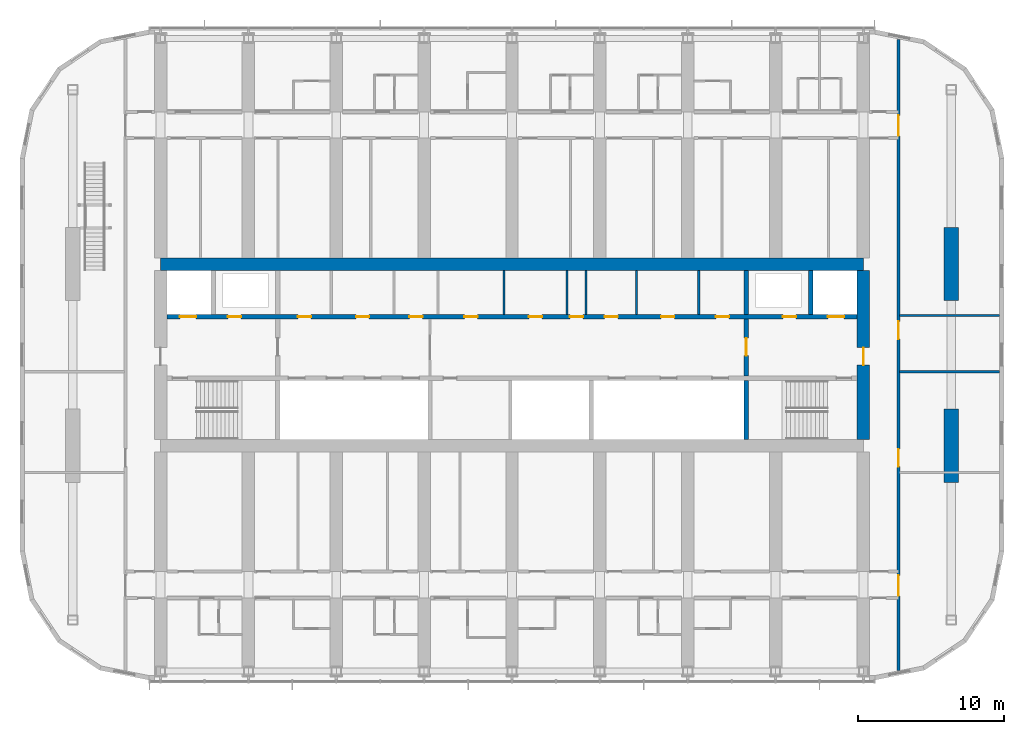
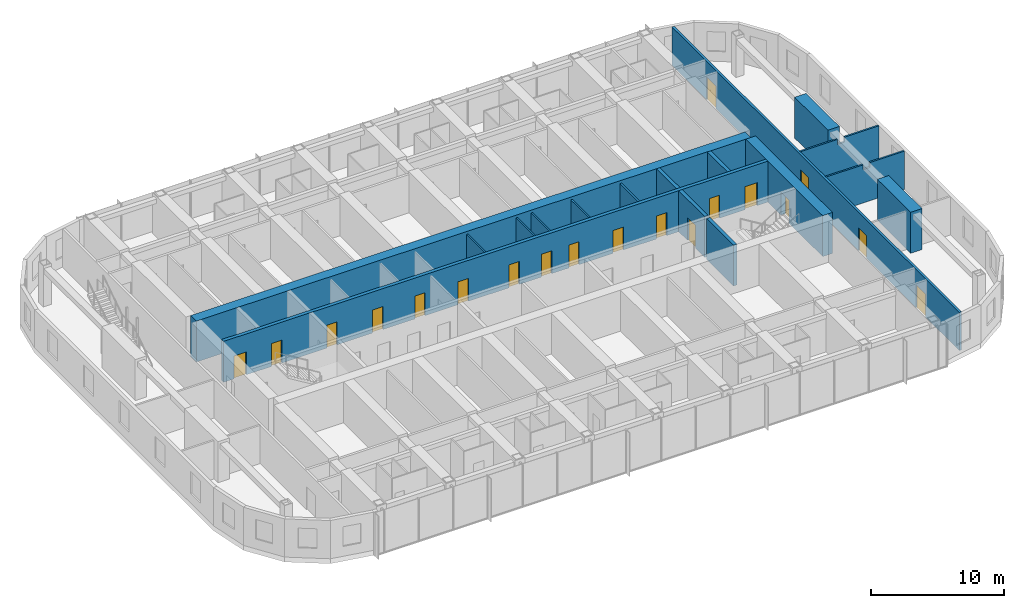
# One storey, part 18 of 29: 19 doors, 17 walls, 19 openings.
"""IFC4 building model written with IfcOpenShell, lengths in metres."""

from ifc_helpers import new_model, si_unit, direction, frame, frame_2d, origin, place, context, subcontext, project, spatial, polyline, rectangle, outline, extrude, material, layer, layer_set, type_object, element, fill, save


model = new_model("IFC4")

# Units and contexts
model_context = context("Model", 3, precision=1e-05, world=origin(), true_north=direction((0.0, 1.0)))
body_context = subcontext(model_context, "Body", "Model", "MODEL_VIEW")
ifc_project = project(units=[si_unit("LENGTHUNIT", "METRE"), si_unit("AREAUNIT", "SQUARE_METRE"), si_unit("VOLUMEUNIT", "CUBIC_METRE"), si_unit("PLANEANGLEUNIT", "RADIAN"), si_unit("MASSUNIT", "GRAM", prefix="KILO")], contexts=[model_context])

# Site, building, storey
site_placement = place(None, origin())
site = spatial("IfcSite", under=ifc_project, at=site_placement, CompositionType="ELEMENT")
building_placement = place(site_placement, origin())
building = spatial("IfcBuilding", under=site, at=building_placement, Name="Orbita Commons", CompositionType="ELEMENT")
storey_placement = place(building_placement, frame((0.0, 0.0, 163.60009765625)))
storey = spatial("IfcBuildingStorey", under=building, at=storey_placement, Name="L40", CompositionType="ELEMENT", Elevation=163.60009765625)

# Wall, openings, doors
ifc_material_1 = material(Name="Concrete C50/60", Category="concrete")
ifc_layer_1 = layer(ifc_material_1, 0.300048828125)
ifc_layer_set_1 = layer_set([ifc_layer_1], Name="Concrete C50/60")
wall_type_1 = type_object("IfcWallType", Name="Core inner wall 300 C50/60", PredefinedType="SHEAR", material=ifc_layer_set_1)
wall_1_placement = place(storey_placement, frame((18.425048828125, 34.60009765625, 0.0), z_axis=(0.0, 0.0, 1.0), x_axis=(1.0, 0.0, 0.0)))
wall_1 = element("IfcWall", 1, at=wall_1_placement, inside=storey, type_object=wall_type_1, Name="Lobby wall north L40", PredefinedType="SHEAR", context=body_context, shape_type="SweptSolid", body=[
    extrude(rectangle(XDim=47.14990234375, YDim=0.300048828125, at=frame_2d((23.574951171875, 0.0))), origin(), (0.0, 0.0, 1.0), 3.75),
])
opening_1_placement = place(wall_1_placement, frame((0.89990234375, 0.0, 0.0)))
opening_1 = element("IfcOpeningElement", 2, at=opening_1_placement, cuts=wall_1, Name="Opening LD01", PredefinedType="OPENING", context=body_context, shape_type="SweptSolid", body=[
    extrude(rectangle(XDim=1.10009765625, YDim=2.10009765625, at=frame_2d((0.550048828125, 1.050048828125))), frame((0.0, 0.159912109375, 0.0), z_axis=(0.0, -1.0, 0.0), x_axis=(1.0, 0.0, 0.0)), (0.0, 0.0, 1.0), 0.320068359375),
])
opening_2_placement = place(wall_1_placement, frame((45.14990234375, 0.0, 0.0)))
opening_2 = element("IfcOpeningElement", 3, at=opening_2_placement, cuts=wall_1, Name="Opening LD01", PredefinedType="OPENING", context=body_context, shape_type="SweptSolid", body=[
    extrude(rectangle(XDim=1.10009765625, YDim=2.10009765625, at=frame_2d((0.550048828125, 1.050048828125))), frame((0.0, 0.159912109375, 0.0), z_axis=(0.0, -1.0, 0.0), x_axis=(1.0, 0.0, 0.0)), (0.0, 0.0, 1.0), 0.320068359375),
])
opening_3_placement = place(wall_1_placement, frame((4.175048828125, 0.0, 0.0)))
opening_3 = element("IfcOpeningElement", 4, at=opening_3_placement, cuts=wall_1, Name="Opening D03", PredefinedType="OPENING", context=body_context, shape_type="SweptSolid", body=[
    extrude(rectangle(XDim=0.89990234375, YDim=2.10009765625, at=frame_2d((0.449951171875, 1.050048828125))), frame((0.0, 0.159912109375, 0.0), z_axis=(0.0, -1.0, 0.0), x_axis=(1.0, 0.0, 0.0)), (0.0, 0.0, 1.0), 0.320068359375),
])
opening_4_placement = place(wall_1_placement, frame((42.074951171875, 0.0, 0.0)))
opening_4 = element("IfcOpeningElement", 5, at=opening_4_placement, cuts=wall_1, Name="Opening D03", PredefinedType="OPENING", context=body_context, shape_type="SweptSolid", body=[
    extrude(rectangle(XDim=0.89990234375, YDim=2.10009765625, at=frame_2d((0.449951171875, 1.050048828125))), frame((0.0, 0.159912109375, 0.0), z_axis=(0.0, -1.0, 0.0), x_axis=(1.0, 0.0, 0.0)), (0.0, 0.0, 1.0), 0.320068359375),
])
opening_5_placement = place(wall_1_placement, frame((8.950439453125, 0.0, 0.0)))
opening_5 = element("IfcOpeningElement", 6, at=opening_5_placement, cuts=wall_1, Name="Opening D05", PredefinedType="OPENING", context=body_context, shape_type="SweptSolid", body=[
    extrude(rectangle(XDim=0.89990234375, YDim=2.10009765625, at=frame_2d((0.449951171875, 1.050048828125))), frame((0.0, 0.159912109375, 0.0), z_axis=(0.0, -1.0, 0.0), x_axis=(1.0, 0.0, 0.0)), (0.0, 0.0, 1.0), 0.320068359375),
])
opening_6_placement = place(wall_1_placement, frame((12.923583984375, 0.0, 0.0)))
opening_6 = element("IfcOpeningElement", 7, at=opening_6_placement, cuts=wall_1, Name="Opening D03", PredefinedType="OPENING", context=body_context, shape_type="SweptSolid", body=[
    extrude(rectangle(XDim=0.89990234375, YDim=2.10009765625, at=frame_2d((0.449951171875, 1.050048828125))), frame((0.0, 0.159912109375, 0.0), z_axis=(0.0, -1.0, 0.0), x_axis=(1.0, 0.0, 0.0)), (0.0, 0.0, 1.0), 0.320068359375),
])
opening_7_placement = place(wall_1_placement, frame((16.5712890625, 0.0, 0.0)))
opening_7 = element("IfcOpeningElement", 8, at=opening_7_placement, cuts=wall_1, Name="Opening D03", PredefinedType="OPENING", context=body_context, shape_type="SweptSolid", body=[
    extrude(rectangle(XDim=0.89990234375, YDim=2.10009765625, at=frame_2d((0.449951171875, 1.050048828125))), frame((0.0, 0.159912109375, 0.0), z_axis=(0.0, -1.0, 0.0), x_axis=(1.0, 0.0, 0.0)), (0.0, 0.0, 1.0), 0.320068359375),
])
opening_8_placement = place(wall_1_placement, frame((20.32958984375, 0.0, 0.0)))
opening_8 = element("IfcOpeningElement", 9, at=opening_8_placement, cuts=wall_1, Name="Opening D03", PredefinedType="OPENING", context=body_context, shape_type="SweptSolid", body=[
    extrude(rectangle(XDim=0.89990234375, YDim=2.10009765625, at=frame_2d((0.449951171875, 1.050048828125))), frame((0.0, 0.159912109375, 0.0), z_axis=(0.0, -1.0, 0.0), x_axis=(1.0, 0.0, 0.0)), (0.0, 0.0, 1.0), 0.320068359375),
])
opening_9_placement = place(wall_1_placement, frame((24.735595703125, 0.0, 0.0)))
opening_9 = element("IfcOpeningElement", 10, at=opening_9_placement, cuts=wall_1, Name="Opening D03", PredefinedType="OPENING", context=body_context, shape_type="SweptSolid", body=[
    extrude(rectangle(XDim=0.89990234375, YDim=2.10009765625, at=frame_2d((0.449951171875, 1.050048828125))), frame((0.0, 0.159912109375, 0.0), z_axis=(0.0, -1.0, 0.0), x_axis=(1.0, 0.0, 0.0)), (0.0, 0.0, 1.0), 0.320068359375),
])
opening_10_placement = place(wall_1_placement, frame((27.533447265625, 0.0, 0.0)))
opening_10 = element("IfcOpeningElement", 11, at=opening_10_placement, cuts=wall_1, Name="Opening D03", PredefinedType="OPENING", context=body_context, shape_type="SweptSolid", body=[
    extrude(rectangle(XDim=0.89990234375, YDim=2.10009765625, at=frame_2d((0.449951171875, 1.050048828125))), frame((0.0, 0.159912109375, 0.0), z_axis=(0.0, -1.0, 0.0), x_axis=(1.0, 0.0, 0.0)), (0.0, 0.0, 1.0), 0.320068359375),
])
opening_11_placement = place(wall_1_placement, frame((29.90576171875, 0.0, 0.0)))
opening_11 = element("IfcOpeningElement", 12, at=opening_11_placement, cuts=wall_1, Name="Opening D03", PredefinedType="OPENING", context=body_context, shape_type="SweptSolid", body=[
    extrude(rectangle(XDim=0.89990234375, YDim=2.10009765625, at=frame_2d((0.449951171875, 1.050048828125))), frame((0.0, 0.159912109375, 0.0), z_axis=(0.0, -1.0, 0.0), x_axis=(1.0, 0.0, 0.0)), (0.0, 0.0, 1.0), 0.320068359375),
])
opening_12_placement = place(wall_1_placement, frame((33.755615234375, 0.0, 0.0)))
opening_12 = element("IfcOpeningElement", 13, at=opening_12_placement, cuts=wall_1, Name="Opening D05", PredefinedType="OPENING", context=body_context, shape_type="SweptSolid", body=[
    extrude(rectangle(XDim=0.89990234375, YDim=2.10009765625, at=frame_2d((0.449951171875, 1.050048828125))), frame((0.0, 0.159912109375, 0.0), z_axis=(0.0, -1.0, 0.0), x_axis=(1.0, 0.0, 0.0)), (0.0, 0.0, 1.0), 0.320068359375),
])
opening_13_placement = place(wall_1_placement, frame((37.50390625, 0.0, 0.0)))
opening_13 = element("IfcOpeningElement", 14, at=opening_13_placement, cuts=wall_1, Name="Opening D03", PredefinedType="OPENING", context=body_context, shape_type="SweptSolid", body=[
    extrude(rectangle(XDim=0.89990234375, YDim=2.10009765625, at=frame_2d((0.449951171875, 1.050048828125))), frame((0.0, 0.159912109375, 0.0), z_axis=(0.0, -1.0, 0.0), x_axis=(1.0, 0.0, 0.0)), (0.0, 0.0, 1.0), 0.320068359375),
])
ifc_material_2 = material(Name="Steel-faced fire door leaf", Category="steel")
door_type_1 = type_object("IfcDoorType", Name="Firefighting lift landing door 1100x2100", OperationType="DOUBLE_DOOR_SLIDING", PredefinedType="DOOR", material=ifc_material_2)
door_1_placement = place(opening_1_placement, origin())
door_1 = element("IfcDoor", 15, at=door_1_placement, inside=storey, type_object=door_type_1, Name="Firefighting lift FL1 landing door", OperationType="DOUBLE_DOOR_SLIDING", OverallHeight=2.10009765625, OverallWidth=1.10009765625, PredefinedType="DOOR", context=body_context, shape_type="SweptSolid", body=[
    extrude(rectangle(XDim=1.10009765625, YDim=2.10009765625, at=frame_2d((0.550048828125, 1.050048828125))), frame((0.0, 0.02490234375, 0.0), z_axis=(0.0, -1.0, 0.0), x_axis=(1.0, 0.0, 0.0)), (0.0, 0.0, 1.0), 0.050048828125),
])
fill(opening_1, door_1)
door_2_placement = place(opening_2_placement, origin())
door_2 = element("IfcDoor", 16, at=door_2_placement, inside=storey, type_object=door_type_1, Name="Firefighting lift FL2 landing door", OperationType="DOUBLE_DOOR_SLIDING", OverallHeight=2.10009765625, OverallWidth=1.10009765625, PredefinedType="DOOR", context=body_context, shape_type="SweptSolid", body=[
    extrude(rectangle(XDim=1.10009765625, YDim=2.10009765625, at=frame_2d((0.550048828125, 1.050048828125))), frame((0.0, 0.02490234375, 0.0), z_axis=(0.0, -1.0, 0.0), x_axis=(1.0, 0.0, 0.0)), (0.0, 0.0, 1.0), 0.050048828125),
])
fill(opening_2, door_2)
ifc_material_3 = material(Name="Steel-faced fire door leaf", Category="steel")
door_type_2 = type_object("IfcDoorType", Name="Service door 20 min 900x2100", OperationType="SINGLE_SWING_LEFT", PredefinedType="DOOR", material=ifc_material_3)
door_3_placement = place(opening_5_placement, origin())
door_3 = element("IfcDoor", 17, at=door_3_placement, inside=storey, type_object=door_type_2, Name="Accessible WC door", OperationType="SINGLE_SWING_LEFT", OverallHeight=2.10009765625, OverallWidth=0.89990234375, PredefinedType="DOOR", context=body_context, shape_type="SweptSolid", body=[
    extrude(rectangle(XDim=0.89990234375, YDim=2.10009765625, at=frame_2d((0.449951171875, 1.050048828125))), frame((0.0, 0.02490234375, 0.0), z_axis=(0.0, -1.0, 0.0), x_axis=(1.0, 0.0, 0.0)), (0.0, 0.0, 1.0), 0.050048828125),
])
fill(opening_5, door_3)
door_4_placement = place(opening_12_placement, origin())
door_4 = element("IfcDoor", 18, at=door_4_placement, inside=storey, type_object=door_type_2, Name="Guest pantry door", OperationType="SINGLE_SWING_LEFT", OverallHeight=2.10009765625, OverallWidth=0.89990234375, PredefinedType="DOOR", context=body_context, shape_type="SweptSolid", body=[
    extrude(rectangle(XDim=0.89990234375, YDim=2.10009765625, at=frame_2d((0.449951171875, 1.050048828125))), frame((0.0, 0.02490234375, 0.0), z_axis=(0.0, -1.0, 0.0), x_axis=(1.0, 0.0, 0.0)), (0.0, 0.0, 1.0), 0.050048828125),
])
fill(opening_12, door_4)
ifc_material_4 = material(Name="Steel-faced fire door leaf", Category="steel")
door_type_3 = type_object("IfcDoorType", Name="Shaft access door 90 min 900x2100", OperationType="SINGLE_SWING_LEFT", PredefinedType="DOOR", material=ifc_material_4)
door_5_placement = place(opening_3_placement, origin())
door_5 = element("IfcDoor", 19, at=door_5_placement, inside=storey, type_object=door_type_3, Name="Riser door west", OperationType="SINGLE_SWING_LEFT", OverallHeight=2.10009765625, OverallWidth=0.89990234375, PredefinedType="DOOR", context=body_context, shape_type="SweptSolid", body=[
    extrude(rectangle(XDim=0.89990234375, YDim=2.10009765625, at=frame_2d((0.449951171875, 1.050048828125))), frame((0.0, 0.02490234375, 0.0), z_axis=(0.0, -1.0, 0.0), x_axis=(1.0, 0.0, 0.0)), (0.0, 0.0, 1.0), 0.050048828125),
])
fill(opening_3, door_5)
door_6_placement = place(opening_4_placement, origin())
door_6 = element("IfcDoor", 20, at=door_6_placement, inside=storey, type_object=door_type_3, Name="Riser door east", OperationType="SINGLE_SWING_LEFT", OverallHeight=2.10009765625, OverallWidth=0.89990234375, PredefinedType="DOOR", context=body_context, shape_type="SweptSolid", body=[
    extrude(rectangle(XDim=0.89990234375, YDim=2.10009765625, at=frame_2d((0.449951171875, 1.050048828125))), frame((0.0, 0.02490234375, 0.0), z_axis=(0.0, -1.0, 0.0), x_axis=(1.0, 0.0, 0.0)), (0.0, 0.0, 1.0), 0.050048828125),
])
fill(opening_4, door_6)
door_7_placement = place(opening_6_placement, origin())
door_7 = element("IfcDoor", 21, at=door_7_placement, inside=storey, type_object=door_type_3, Name="Refuse chute room door", OperationType="SINGLE_SWING_LEFT", OverallHeight=2.10009765625, OverallWidth=0.89990234375, PredefinedType="DOOR", context=body_context, shape_type="SweptSolid", body=[
    extrude(rectangle(XDim=0.89990234375, YDim=2.10009765625, at=frame_2d((0.449951171875, 1.050048828125))), frame((0.0, 0.02490234375, 0.0), z_axis=(0.0, -1.0, 0.0), x_axis=(1.0, 0.0, 0.0)), (0.0, 0.0, 1.0), 0.050048828125),
])
fill(opening_6, door_7)
door_8_placement = place(opening_7_placement, origin())
door_8 = element("IfcDoor", 22, at=door_8_placement, inside=storey, type_object=door_type_3, Name="Electrical riser room door", OperationType="SINGLE_SWING_LEFT", OverallHeight=2.10009765625, OverallWidth=0.89990234375, PredefinedType="DOOR", context=body_context, shape_type="SweptSolid", body=[
    extrude(rectangle(XDim=0.89990234375, YDim=2.10009765625, at=frame_2d((0.449951171875, 1.050048828125))), frame((0.0, 0.02490234375, 0.0), z_axis=(0.0, -1.0, 0.0), x_axis=(1.0, 0.0, 0.0)), (0.0, 0.0, 1.0), 0.050048828125),
])
fill(opening_7, door_8)
door_9_placement = place(opening_8_placement, origin())
door_9 = element("IfcDoor", 23, at=door_9_placement, inside=storey, type_object=door_type_3, Name="Storage room door", OperationType="SINGLE_SWING_LEFT", OverallHeight=2.10009765625, OverallWidth=0.89990234375, PredefinedType="DOOR", context=body_context, shape_type="SweptSolid", body=[
    extrude(rectangle(XDim=0.89990234375, YDim=2.10009765625, at=frame_2d((0.449951171875, 1.050048828125))), frame((0.0, 0.02490234375, 0.0), z_axis=(0.0, -1.0, 0.0), x_axis=(1.0, 0.0, 0.0)), (0.0, 0.0, 1.0), 0.050048828125),
])
fill(opening_8, door_9)
door_10_placement = place(opening_9_placement, origin())
door_10 = element("IfcDoor", 24, at=door_10_placement, inside=storey, type_object=door_type_3, Name="Communications room door", OperationType="SINGLE_SWING_LEFT", OverallHeight=2.10009765625, OverallWidth=0.89990234375, PredefinedType="DOOR", context=body_context, shape_type="SweptSolid", body=[
    extrude(rectangle(XDim=0.89990234375, YDim=2.10009765625, at=frame_2d((0.449951171875, 1.050048828125))), frame((0.0, 0.02490234375, 0.0), z_axis=(0.0, -1.0, 0.0), x_axis=(1.0, 0.0, 0.0)), (0.0, 0.0, 1.0), 0.050048828125),
])
fill(opening_9, door_10)
door_11_placement = place(opening_10_placement, origin())
door_11 = element("IfcDoor", 25, at=door_11_placement, inside=storey, type_object=door_type_3, Name="Stair pressurisation duct door", OperationType="SINGLE_SWING_LEFT", OverallHeight=2.10009765625, OverallWidth=0.89990234375, PredefinedType="DOOR", context=body_context, shape_type="SweptSolid", body=[
    extrude(rectangle(XDim=0.89990234375, YDim=2.10009765625, at=frame_2d((0.449951171875, 1.050048828125))), frame((0.0, 0.02490234375, 0.0), z_axis=(0.0, -1.0, 0.0), x_axis=(1.0, 0.0, 0.0)), (0.0, 0.0, 1.0), 0.050048828125),
])
fill(opening_10, door_11)
door_12_placement = place(opening_11_placement, origin())
door_12 = element("IfcDoor", 26, at=door_12_placement, inside=storey, type_object=door_type_3, Name="IT room door", OperationType="SINGLE_SWING_LEFT", OverallHeight=2.10009765625, OverallWidth=0.89990234375, PredefinedType="DOOR", context=body_context, shape_type="SweptSolid", body=[
    extrude(rectangle(XDim=0.89990234375, YDim=2.10009765625, at=frame_2d((0.449951171875, 1.050048828125))), frame((0.0, 0.02490234375, 0.0), z_axis=(0.0, -1.0, 0.0), x_axis=(1.0, 0.0, 0.0)), (0.0, 0.0, 1.0), 0.050048828125),
])
fill(opening_11, door_12)
door_13_placement = place(opening_13_placement, origin())
door_13 = element("IfcDoor", 27, at=door_13_placement, inside=storey, type_object=door_type_3, Name="Cleaners store door", OperationType="SINGLE_SWING_LEFT", OverallHeight=2.10009765625, OverallWidth=0.89990234375, PredefinedType="DOOR", context=body_context, shape_type="SweptSolid", body=[
    extrude(rectangle(XDim=0.89990234375, YDim=2.10009765625, at=frame_2d((0.449951171875, 1.050048828125))), frame((0.0, 0.02490234375, 0.0), z_axis=(0.0, -1.0, 0.0), x_axis=(1.0, 0.0, 0.0)), (0.0, 0.0, 1.0), 0.050048828125),
])
fill(opening_13, door_13)

# Wall
wall_2_placement = place(storey_placement, frame((58.0, 26.22509765625, 0.0), z_axis=(0.0, 0.0, 1.0), x_axis=(0.0, 1.0, 0.0)))
element("IfcWall", 28, at=wall_2_placement, inside=storey, type_object=wall_type_1, Name="Stair S2 wall L40", PredefinedType="SHEAR", context=body_context, shape_type="SweptSolid", body=[
    extrude(rectangle(XDim=4.02490234375, YDim=0.300048828125, at=frame_2d((2.012451171875, 0.0))), origin(), (0.0, 0.0, 1.0), 3.75),
])

# Wall, opening, door
wall_3_placement = place(storey_placement, frame((58.0, 30.550048828125, 0.0), z_axis=(0.0, 0.0, 1.0), x_axis=(0.0, 1.0, 0.0)))
wall_3 = element("IfcWall", 29, at=wall_3_placement, inside=storey, type_object=wall_type_1, Name="Firefighting lobby wall east L40", PredefinedType="SHEAR", context=body_context, shape_type="SweptSolid", body=[
    extrude(rectangle(XDim=3.89990234375, YDim=0.300048828125, at=frame_2d((1.949951171875, 0.0))), origin(), (0.0, 0.0, 1.0), 3.75),
])
opening_14_placement = place(wall_3_placement, frame((1.39990234375, 0.0, 0.0)))
opening_14 = element("IfcOpeningElement", 30, at=opening_14_placement, cuts=wall_3, Name="Opening D04", PredefinedType="OPENING", context=body_context, shape_type="SweptSolid", body=[
    extrude(rectangle(XDim=1.199951171875, YDim=2.10009765625, at=frame_2d((0.60009765625, 1.050048828125))), frame((0.0, 0.159912109375, 0.0), z_axis=(0.0, -1.0, 0.0), x_axis=(1.0, 0.0, 0.0)), (0.0, 0.0, 1.0), 0.320068359375),
])
ifc_material_5 = material(Name="Steel-faced fire door leaf", Category="steel")
door_type_4 = type_object("IfcDoorType", Name="Service door 20 min 1200x2100", OperationType="SINGLE_SWING_LEFT", PredefinedType="DOOR", material=ifc_material_5)
door_14_placement = place(opening_14_placement, origin())
door_14 = element("IfcDoor", 31, at=door_14_placement, inside=storey, type_object=door_type_4, Name="Lift lobby door east", OperationType="SINGLE_SWING_LEFT", OverallHeight=2.10009765625, OverallWidth=1.199951171875, PredefinedType="DOOR", context=body_context, shape_type="SweptSolid", body=[
    extrude(rectangle(XDim=1.199951171875, YDim=2.10009765625, at=frame_2d((0.60009765625, 1.050048828125))), frame((0.0, 0.02490234375, 0.0), z_axis=(0.0, -1.0, 0.0), x_axis=(1.0, 0.0, 0.0)), (0.0, 0.0, 1.0), 0.050048828125),
])
fill(opening_14, door_14)

# Walls
for number, where, z_axis, x_axis, name in (
    (32, (62.39990234375, 34.75, 0.0), (0.0, 0.0, 1.0), (0.0, 1.0, 0.0), "Firefighting lift FL2 shaft wall L40"),
    (33, (58.0, 34.75, 0.0), (0.0, 0.0, 1.0), (0.0, 1.0, 0.0), "Riser wall east L40"),
):
    element("IfcWall", number, at=place(storey_placement, frame(where, z_axis=z_axis, x_axis=x_axis)), inside=storey, type_object=wall_type_1, Name=name, PredefinedType="SHEAR", context=body_context, shape_type="SweptSolid", body=[
        extrude(rectangle(XDim=3.02490234375, YDim=0.300048828125, at=frame_2d((1.512451171875, 0.0))), origin(), (0.0, 0.0, 1.0), 3.75),
    ])
ifc_material_6 = material(Name="Concrete blockwork", Category="masonry")
ifc_layer_2 = layer(ifc_material_6, 0.14990234375)
ifc_layer_set_2 = layer_set([ifc_layer_2], Name="Concrete blockwork")
wall_type_2 = type_object("IfcWallType", Name="Core partition 150 blockwork", PredefinedType="SOLIDWALL", material=ifc_layer_set_2)
for number, where, z_axis, x_axis, name in (
    (34, (41.463134765625, 34.75, 0.0), (0.0, 0.0, 1.0), (0.0, 1.0, 0.0), "Core partition 150 blockwork L40"),
    (35, (45.75830078125, 34.75, 0.0), (0.0, 0.0, 1.0), (0.0, 1.0, 0.0), "Core partition 150 blockwork L40"),
    (36, (47.058349609375, 34.75, 0.0), (0.0, 0.0, 1.0), (0.0, 1.0, 0.0), "Core partition 150 blockwork L40"),
    (37, (50.5029296875, 34.75, 0.0), (0.0, 0.0, 1.0), (0.0, 1.0, 0.0), "Core partition 150 blockwork L40"),
    (38, (54.758056640625, 34.75, 0.0), (0.0, 0.0, 1.0), (0.0, 1.0, 0.0), "Core partition 150 blockwork L40"),
):
    element("IfcWall", number, at=place(storey_placement, frame(where, z_axis=z_axis, x_axis=x_axis)), inside=storey, type_object=wall_type_2, Name=name, PredefinedType="SOLIDWALL", context=body_context, shape_type="SweptSolid", body=[
        extrude(rectangle(XDim=3.02490234375, YDim=0.14990234375, at=frame_2d((1.512451171875, 0.0))), origin(), (0.0, 0.0, 1.0), 3.5),
    ])
ifc_material_7 = material(Name="Concrete C50/60", Category="concrete")
ifc_layer_3 = layer(ifc_material_7, 0.85009765625)
ifc_layer_set_3 = layer_set([ifc_layer_3], Name="Concrete C50/60")
wall_type_3 = type_object("IfcWallType", Name="Core wall 850 C50/60", PredefinedType="SHEAR", material=ifc_layer_set_3)
wall_4_placement = place(storey_placement, frame((18.0, 38.199951171875, 0.0), z_axis=(0.0, 0.0, 1.0), x_axis=(1.0, 0.0, 0.0)))
element("IfcWall", 39, at=wall_4_placement, inside=storey, type_object=wall_type_3, Name="Core spine wall north L40", PredefinedType="SHEAR", context=body_context, shape_type="SweptSolid", body=[
    extrude(rectangle(XDim=48.0, YDim=0.85009765625, at=frame_2d((24.0, 0.0))), origin(), (0.0, 0.0, 1.0), 3.75),
])

# Wall, opening, door
wall_5_placement = place(storey_placement, frame((66.0, 26.22509765625, 0.0), z_axis=(0.0, 0.0, 1.0), x_axis=(0.0, 1.0, 0.0)))
wall_5 = element("IfcWall", 40, at=wall_5_placement, inside=storey, type_object=wall_type_3, Name="Core end wall east L40", PredefinedType="SHEAR", context=body_context, shape_type="SweptSolid", body=[
    extrude(rectangle(XDim=11.5498046875, YDim=0.85009765625, at=frame_2d((5.77490234375, 0.0))), origin(), (0.0, 0.0, 1.0), 3.75),
])
opening_15_placement = place(wall_5_placement, frame((5.074951171875, 0.0, 0.0)))
opening_15 = element("IfcOpeningElement", 41, at=opening_15_placement, cuts=wall_5, Name="Opening D01", PredefinedType="OPENING", context=body_context, shape_type="SweptSolid", body=[
    extrude(rectangle(XDim=1.199951171875, YDim=2.10009765625, at=frame_2d((0.60009765625, 1.050048828125))), frame((0.0, 0.43505859375, 0.0), z_axis=(0.0, -1.0, 0.0), x_axis=(1.0, 0.0, 0.0)), (0.0, 0.0, 1.0), 0.8701171875),
])
ifc_material_8 = material(Name="Steel-faced fire door leaf", Category="steel")
door_type_5 = type_object("IfcDoorType", Name="Fire door 90 min 1200x2100", OperationType="SINGLE_SWING_LEFT", PredefinedType="DOOR", material=ifc_material_8)
door_15_placement = place(opening_15_placement, origin())
door_15 = element("IfcDoor", 42, at=door_15_placement, inside=storey, type_object=door_type_5, Name="Firefighting lobby east door", OperationType="SINGLE_SWING_LEFT", OverallHeight=2.10009765625, OverallWidth=1.199951171875, PredefinedType="DOOR", context=body_context, shape_type="SweptSolid", body=[
    extrude(rectangle(XDim=1.199951171875, YDim=2.10009765625, at=frame_2d((0.60009765625, 1.050048828125))), frame((0.0, 0.02490234375, 0.0), z_axis=(0.0, -1.0, 0.0), x_axis=(1.0, 0.0, 0.0)), (0.0, 0.0, 1.0), 0.050048828125),
])
fill(opening_15, door_15)

# Wall, openings, doors
ifc_material_9 = material(Name="Concrete blockwork", Category="masonry")
ifc_layer_4 = layer(ifc_material_9, 0.199951171875)
ifc_layer_set_4 = layer_set([ifc_layer_4], Name="Concrete blockwork")
wall_type_4 = type_object("IfcWallType", Name="Corridor wall 200 blockwork", PredefinedType="SOLIDWALL", material=ifc_layer_set_4)
wall_6_placement = place(storey_placement, frame((68.39990234375, 10.4462890625, 0.0), z_axis=(0.0, 0.0, 1.0), x_axis=(0.0, 1.0, 0.0)))
wall_6 = element("IfcWall", 43, at=wall_6_placement, inside=storey, type_object=wall_type_4, Name="Corridor wall 200 blockwork L40", PredefinedType="SOLIDWALL", context=body_context, shape_type="SweptSolid", body=[
    extrude(rectangle(XDim=43.107421875, YDim=0.199951171875, at=frame_2d((21.5537109375, 0.0))), origin(), (0.0, 0.0, 1.0), 3.5),
])
opening_16_placement = place(wall_6_placement, frame((13.913818359375, 0.0, 0.0)))
opening_16 = element("IfcOpeningElement", 44, at=opening_16_placement, cuts=wall_6, Name="Opening D15", PredefinedType="OPENING", context=body_context, shape_type="SweptSolid", body=[
    extrude(rectangle(XDim=1.199951171875, YDim=2.10009765625, at=frame_2d((0.60009765625, 1.050048828125))), frame((0.0, 0.10986328125, 0.0), z_axis=(0.0, -1.0, 0.0), x_axis=(1.0, 0.0, 0.0)), (0.0, 0.0, 1.0), 0.219970703125),
])
opening_17_placement = place(wall_6_placement, frame((22.6337890625, 0.0, 0.0)))
opening_17 = element("IfcOpeningElement", 45, at=opening_17_placement, cuts=wall_6, Name="Opening D15", PredefinedType="OPENING", context=body_context, shape_type="SweptSolid", body=[
    extrude(rectangle(XDim=1.199951171875, YDim=2.10009765625, at=frame_2d((0.60009765625, 1.050048828125))), frame((0.0, 0.10986328125, 0.0), z_axis=(0.0, -1.0, 0.0), x_axis=(1.0, 0.0, 0.0)), (0.0, 0.0, 1.0), 0.219970703125),
])
opening_18_placement = place(wall_6_placement, frame((5.103759765625, 0.0, 0.0)))
opening_18 = element("IfcOpeningElement", 46, at=opening_18_placement, cuts=wall_6, Name="Opening D08", PredefinedType="OPENING", context=body_context, shape_type="SweptSolid", body=[
    extrude(rectangle(XDim=1.39990234375, YDim=2.10009765625, at=frame_2d((0.699951171875, 1.050048828125))), frame((0.0, 0.10986328125, 0.0), z_axis=(0.0, -1.0, 0.0), x_axis=(1.0, 0.0, 0.0)), (0.0, 0.0, 1.0), 0.219970703125),
])
opening_19_placement = place(wall_6_placement, frame((36.50390625, 0.0, 0.0)))
opening_19 = element("IfcOpeningElement", 47, at=opening_19_placement, cuts=wall_6, Name="Opening D08", PredefinedType="OPENING", context=body_context, shape_type="SweptSolid", body=[
    extrude(rectangle(XDim=1.39990234375, YDim=2.10009765625, at=frame_2d((0.699951171875, 1.050048828125))), frame((0.0, 0.10986328125, 0.0), z_axis=(0.0, -1.0, 0.0), x_axis=(1.0, 0.0, 0.0)), (0.0, 0.0, 1.0), 0.219970703125),
])
ifc_material_10 = material(Name="Steel-faced fire door leaf", Category="steel")
door_type_6 = type_object("IfcDoorType", Name="Corridor door 20 min 1200x2100", OperationType="SINGLE_SWING_LEFT", PredefinedType="DOOR", material=ifc_material_10)
door_16_placement = place(opening_16_placement, origin())
door_16 = element("IfcDoor", 48, at=door_16_placement, inside=storey, type_object=door_type_6, Name="Study hall door", OperationType="SINGLE_SWING_LEFT", OverallHeight=2.10009765625, OverallWidth=1.199951171875, PredefinedType="DOOR", context=body_context, shape_type="SweptSolid", body=[
    extrude(rectangle(XDim=1.199951171875, YDim=2.10009765625, at=frame_2d((0.60009765625, 1.050048828125))), frame((0.0, 0.02490234375, 0.0), z_axis=(0.0, -1.0, 0.0), x_axis=(1.0, 0.0, 0.0)), (0.0, 0.0, 1.0), 0.050048828125),
])
fill(opening_16, door_16)
door_17_placement = place(opening_17_placement, origin())
door_17 = element("IfcDoor", 49, at=door_17_placement, inside=storey, type_object=door_type_6, Name="Observatory lounge door", OperationType="SINGLE_SWING_LEFT", OverallHeight=2.10009765625, OverallWidth=1.199951171875, PredefinedType="DOOR", context=body_context, shape_type="SweptSolid", body=[
    extrude(rectangle(XDim=1.199951171875, YDim=2.10009765625, at=frame_2d((0.60009765625, 1.050048828125))), frame((0.0, 0.02490234375, 0.0), z_axis=(0.0, -1.0, 0.0), x_axis=(1.0, 0.0, 0.0)), (0.0, 0.0, 1.0), 0.050048828125),
])
fill(opening_17, door_17)
ifc_material_11 = material(Name="Steel-faced fire door leaf", Category="steel")
door_type_7 = type_object("IfcDoorType", Name="Double corridor door 20 min 1400x2100", OperationType="DOUBLE_DOOR_SINGLE_SWING", PredefinedType="DOOR", material=ifc_material_11)
door_18_placement = place(opening_18_placement, origin())
door_18 = element("IfcDoor", 50, at=door_18_placement, inside=storey, type_object=door_type_7, Name="Lounge doors", OperationType="DOUBLE_DOOR_SINGLE_SWING", OverallHeight=2.10009765625, OverallWidth=1.39990234375, PredefinedType="DOOR", context=body_context, shape_type="SweptSolid", body=[
    extrude(rectangle(XDim=1.39990234375, YDim=2.10009765625, at=frame_2d((0.699951171875, 1.050048828125))), frame((0.0, 0.02490234375, 0.0), z_axis=(0.0, -1.0, 0.0), x_axis=(1.0, 0.0, 0.0)), (0.0, 0.0, 1.0), 0.050048828125),
])
fill(opening_18, door_18)
door_19_placement = place(opening_19_placement, origin())
door_19 = element("IfcDoor", 51, at=door_19_placement, inside=storey, type_object=door_type_7, Name="Lounge doors", OperationType="DOUBLE_DOOR_SINGLE_SWING", OverallHeight=2.10009765625, OverallWidth=1.39990234375, PredefinedType="DOOR", context=body_context, shape_type="SweptSolid", body=[
    extrude(rectangle(XDim=1.39990234375, YDim=2.10009765625, at=frame_2d((0.699951171875, 1.050048828125))), frame((0.0, 0.02490234375, 0.0), z_axis=(0.0, -1.0, 0.0), x_axis=(1.0, 0.0, 0.0)), (0.0, 0.0, 1.0), 0.050048828125),
])
fill(opening_19, door_19)

# Walls
ifc_material_12 = material(Name="Concrete C50/60", Category="concrete")
ifc_layer_5 = layer(ifc_material_12, 1.0)
ifc_layer_set_5 = layer_set([ifc_layer_5], Name="Concrete C50/60")
wall_type_5 = type_object("IfcWallType", Name="End pier 1000x5000 C50/60", PredefinedType="SHEAR", material=ifc_layer_set_5)
for number, where, z_axis, x_axis, name in (
    (52, (72.0, 23.300048828125, 0.0), (0.0, 0.0, 1.0), (0.0, 1.0, 0.0), "End pier 13/C L40"),
    (53, (72.0, 35.699951171875, 0.0), (0.0, 0.0, 1.0), (0.0, 1.0, 0.0), "End pier 13/D L40"),
):
    element("IfcWall", number, at=place(storey_placement, frame(where, z_axis=z_axis, x_axis=x_axis)), inside=storey, type_object=wall_type_5, Name=name, PredefinedType="SHEAR", context=body_context, shape_type="SweptSolid", body=[
        extrude(rectangle(XDim=5.0, YDim=1.0, at=frame_2d((2.5, 0.0))), origin(), (0.0, 0.0, 1.0), 3.75),
    ])
ifc_material_13 = material(Name="Gypsum plasterboard on steel studs", Category="steel")
ifc_layer_6 = layer(ifc_material_13, 0.14990234375)
ifc_layer_set_6 = layer_set([ifc_layer_6], Name="Gypsum plasterboard on steel studs")
wall_type_6 = type_object("IfcWallType", Name="Partition 150 plasterboard", PredefinedType="PARTITIONING", material=ifc_layer_set_6)
for number, where, z_axis, x_axis, name in (
    (54, (68.47509765625, 30.85009765625, 0.0), (0.0, 0.0, 1.0), (1.0, 0.0, 0.0), "Partition 150 plasterboard L40"),
    (55, (68.47509765625, 34.679931640625, 0.0), (0.0, 0.0, 1.0), (1.0, 0.0, 0.0), "Partition 150 plasterboard L40"),
):
    element("IfcWall", number, at=place(storey_placement, frame(where, z_axis=z_axis, x_axis=x_axis)), inside=storey, type_object=wall_type_6, Name=name, PredefinedType="PARTITIONING", context=body_context, shape_type="SweptSolid", body=[
        extrude(outline(polyline([(0.0, 0.0), (6.81982421875, 0.0), (6.820068359375, 3.5), (3.826904296875, 3.5), (3.824951171875, 3.0498046875), (3.22705078125, 3.0498046875), (3.22509765625, 3.5), (0.0, 3.5), (0.0, 0.0)])), frame((0.0, 0.074951171875, 0.0), z_axis=(0.0, -1.0, 0.0), x_axis=(1.0, 0.0, 0.0)), (0.0, 0.0, 1.0), 0.14990234375),
    ])

save(model, "model.ifc")
